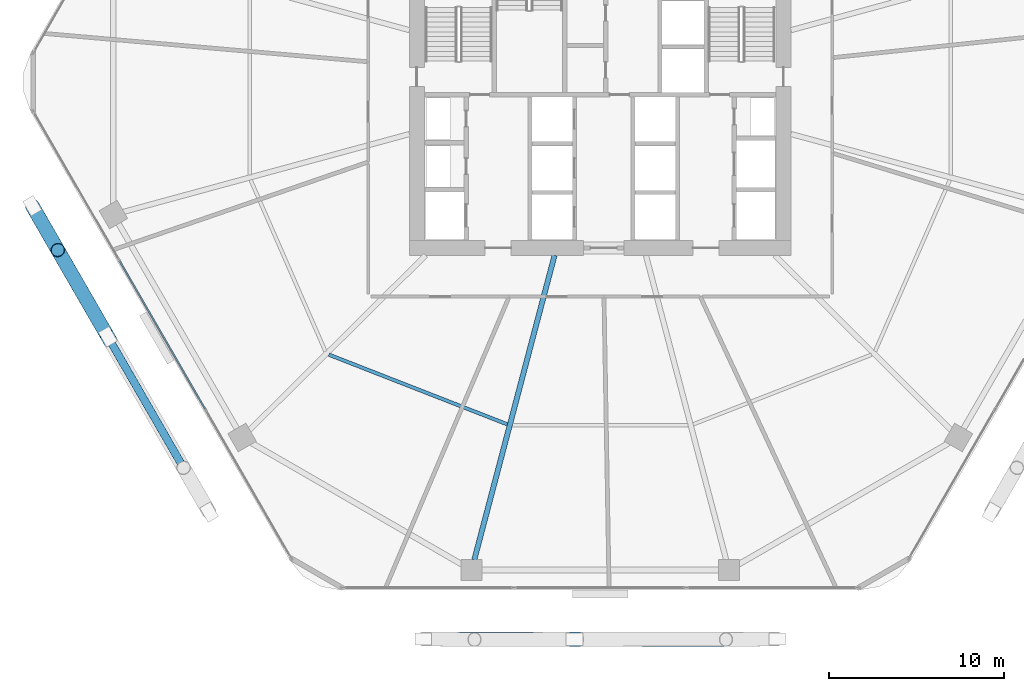
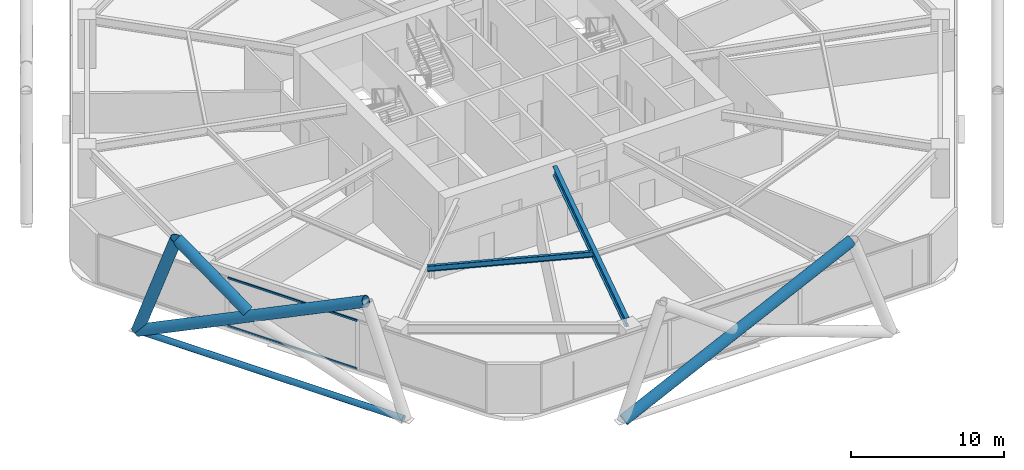
# One storey, part 4 of 30: 7 members, 2 beams, 1 element without a shape of its own.
"""IFC4 building model written with IfcOpenShell, lengths in metres."""

from ifc_helpers import new_model, si_unit, direction, frame, origin, origin_2d, place, context, subcontext, project, spatial, hollow_rectangle, hollow_circle, i_section, extrude, material, material_profile, profile_set, type_object, element, aggregate, save


model = new_model("IFC4")

# Units and contexts
model_context = context("Model", 3, precision=1e-05, world=origin(), true_north=direction((0.0, 1.0)))
body_context = subcontext(model_context, "Body", "Model", "MODEL_VIEW")
ifc_project = project(units=[si_unit("LENGTHUNIT", "METRE"), si_unit("AREAUNIT", "SQUARE_METRE"), si_unit("VOLUMEUNIT", "CUBIC_METRE"), si_unit("PLANEANGLEUNIT", "RADIAN"), si_unit("MASSUNIT", "GRAM", prefix="KILO")], contexts=[model_context])

# Site, building, storey
site_placement = place(None, origin())
site = spatial("IfcSite", under=ifc_project, at=site_placement, CompositionType="ELEMENT")
building_placement = place(site_placement, origin())
building = spatial("IfcBuilding", under=site, at=building_placement, Name="Zuhravey Tower", CompositionType="ELEMENT")
storey_placement = place(building_placement, frame((0.0, 0.0, 58.199951171875)))
storey = spatial("IfcBuildingStorey", under=building, at=storey_placement, Name="L14", CompositionType="ELEMENT", Elevation=58.199951171875)

# Curtain wall, members
ifc_material_1 = material(Name="Thermally broken anodised aluminium", Category="aluminium")
curtain_wall_type = type_object("IfcCurtainWallType", Name="School Low-E Unitised Curtain Wall CW1", PredefinedType="NOTDEFINED", material=ifc_material_1)
curtain_wall_placement = place(storey_placement, origin())
curtain_wall = element("IfcCurtainWall", 1, at=curtain_wall_placement, inside=storey, type_object=curtain_wall_type, Name="L14 CW1 CW-L14-F4-1", PredefinedType="NOTDEFINED")
ifc_material_2 = material(Name="Anodised aluminium", Category="aluminium")
ifc_material_profile_1 = material_profile(ifc_material_2, hollow_rectangle(XDim=0.090087890625, YDim=0.14990234375, WallThickness=0.0048828125, at=origin_2d()), Name="ALU-RHS-90x150x5")
ifc_profile_set_1 = profile_set([ifc_material_profile_1], Name="Anodised aluminium")
member_type_1 = type_object("IfcMemberType", Name="Curtain-Wall Transom 90x150", PredefinedType="USERDEFINED", material=ifc_profile_set_1)
member_1_placement = place(storey_placement, frame((13.365234375, 13.287353515625, 0.045166015625), z_axis=(-0.499990498062, 0.866030889661, 0.0), x_axis=(-0.866030889661, -0.499990498062, 0.0)))
member_1 = element("IfcMember", 2, at=member_1_placement, type_object=member_type_1, Name="CW1 transom 2.1", ObjectType="TRANSOM", PredefinedType="USERDEFINED", context=body_context, shape_type="SweptSolid", body=[
    extrude(hollow_rectangle(XDim=0.090087890625, YDim=0.14990234375, WallThickness=0.0048828125, at=origin_2d()), origin(), (0.0, 0.0, 1.0), 9.776611328125),
])
member_2_placement = place(storey_placement, frame((13.365234375, 13.287353515625, 3.875), z_axis=(-0.499990498062, 0.866030889661, 0.0), x_axis=(-0.866030889661, -0.499990498062, 0.0)))
member_2 = element("IfcMember", 3, at=member_2_placement, type_object=member_type_1, Name="CW1 transom 2.2", ObjectType="TRANSOM", PredefinedType="USERDEFINED", context=body_context, shape_type="SweptSolid", body=[
    extrude(hollow_rectangle(XDim=0.090087890625, YDim=0.14990234375, WallThickness=0.0048828125, at=origin_2d()), origin(), (0.0, 0.0, 1.0), 9.776611328125),
])
aggregate(curtain_wall, [member_1, member_2])

# Members
ifc_material_3 = material(Name="Steel SM355", Category="steel")
ifc_material_profile_2 = material_profile(ifc_material_3, hollow_circle(Radius=0.228515625, WallThickness=0.02197265625, at=origin_2d()), Name="CHS-457.2x22")
ifc_profile_set_2 = profile_set([ifc_material_profile_2], Name="Steel SM355")
member_type_2 = type_object("IfcMemberType", Name="Exoskeleton Ring Tie CHS457x22", PredefinedType="CHORD", material=ifc_profile_set_2)
member_3_placement = place(storey_placement, frame((3.53271484375, 24.79833984375, -0.493896484375), z_axis=(0.499987058157, -0.866032875632, 0.0), x_axis=(0.866032875632, 0.499987058157, 0.0)))
element("IfcMember", 4, at=member_3_placement, inside=storey, type_object=member_type_2, Name="L14 Exoskeleton Face 4 Tie EXR1", PredefinedType="CHORD", context=body_context, shape_type="SweptSolid", body=[
    extrude(hollow_circle(Radius=0.228515625, WallThickness=0.02197265625, at=origin_2d()), origin(), (0.0, 0.0, 1.0), 19.99365234375),
])
ifc_material_4 = material(Name="Steel SM460", Category="steel")
ifc_material_profile_3 = material_profile(ifc_material_4, hollow_circle(Radius=0.406494140625, WallThickness=0.035888671875, at=origin_2d()), Name="CHS-812.8x36")
ifc_profile_set_3 = profile_set([ifc_material_profile_3], Name="Steel SM460")
member_type_3 = type_object("IfcMemberType", Name="Exoskeleton Zone 1 Diagrid CHS813x36", PredefinedType="BRACE", material=ifc_profile_set_3)
member_4_placement = place(storey_placement, frame((3.466552734375, 24.912841796875, -0.471923828125), z_axis=(0.165307317227, -0.286358046605, 0.943754501984), x_axis=(0.866053660865, 0.499951054106, 0.0)))
element("IfcMember", 5, at=member_4_placement, inside=storey, type_object=member_type_3, Name="L14 Face 4 Diagrid Brace 1", PredefinedType="BRACE", context=body_context, shape_type="SweptSolid", body=[
    extrude(hollow_circle(Radius=0.406494140625, WallThickness=0.035888671875, at=origin_2d()), origin(), (0.0, 0.0, 1.0), 8.85400390625),
])
member_5_placement = place(storey_placement, frame((3.4853515625, 24.880126953125, -0.471923828125), z_axis=(0.449932637588, -0.779312332372, 0.436156978902), x_axis=(0.866027110715, 0.499997043497, 0.0)))
element("IfcMember", 6, at=member_5_placement, inside=storey, type_object=member_type_3, Name="L14 Face 4 Diagrid Brace 2", PredefinedType="BRACE", context=body_context, shape_type="SweptSolid", body=[
    extrude(hollow_circle(Radius=0.406494140625, WallThickness=0.035888671875, at=origin_2d()), origin(), (0.0, 0.0, 1.0), 19.158203125),
])
member_6_placement = place(storey_placement, frame((7.635498046875, 17.69189453125, 3.940673828125), z_axis=(-0.403092056741, 0.69816190232, 0.59168129254), x_axis=(-0.866021056018, -0.500007530476, 0.0)))
element("IfcMember", 7, at=member_6_placement, inside=storey, type_object=member_type_3, Name="L14 Face 4 Split Diagrid Brace 3B", PredefinedType="BRACE", context=body_context, shape_type="SweptSolid", body=[
    extrude(hollow_circle(Radius=0.406494140625, WallThickness=0.035888671875, at=origin_2d()), origin(), (0.0, 0.0, 1.0), 6.6513671875),
])
member_7_placement = place(storey_placement, frame((25.90869140625, 0.101318359375, -0.471923828125), z_axis=(0.899868496349, -0.00155470525, 0.436158540177), x_axis=(0.001727700143, 0.999998507525, 0.0)))
element("IfcMember", 8, at=member_7_placement, inside=storey, type_object=member_type_3, Name="L14 Face 5 Diagrid Brace 2", PredefinedType="BRACE", context=body_context, shape_type="SweptSolid", body=[
    extrude(hollow_circle(Radius=0.406494140625, WallThickness=0.035888671875, at=origin_2d()), origin(), (0.0, 0.0, 1.0), 19.157958984375),
])

# Beams
ifc_material_profile_4 = material_profile(ifc_material_3, i_section(OverallWidth=0.300048828125, OverallDepth=0.699951171875, WebThickness=0.012939453125, FlangeThickness=0.02392578125, at=origin_2d()), Name="H-700x300x13x24")
ifc_profile_set_4 = profile_set([ifc_material_profile_4], Name="Steel SM355")
beam_type_1 = type_object("IfcBeamType", Name="Radial Primary Girder H700x300", PredefinedType="BEAM", material=ifc_profile_set_4)
beam_1_placement = place(storey_placement, frame((33.382080078125, 22.072021484375, 3.570068359375), z_axis=(-0.254989720435, -0.966943763862, 0.0), x_axis=(0.966943763862, -0.254989720435, 0.0)))
element("IfcBeam", 9, at=beam_1_placement, inside=storey, type_object=beam_type_1, Name="L14 RG1 BM-L14-RAD-09", PredefinedType="BEAM", context=body_context, shape_type="SweptSolid", body=[
    extrude(i_section(OverallWidth=0.300048828125, OverallDepth=0.699951171875, WebThickness=0.012939453125, FlangeThickness=0.02392578125, at=origin_2d()), origin(), (0.0, 0.0, 1.0), 18.03369140625),
])
ifc_material_profile_5 = material_profile(ifc_material_3, i_section(OverallWidth=0.199951171875, OverallDepth=0.449951171875, WebThickness=0.009033203125, FlangeThickness=0.013916015625, at=origin_2d()), Name="H-450x200x9x14")
ifc_profile_set_5 = profile_set([ifc_material_profile_5], Name="Steel SM355")
beam_type_2 = type_object("IfcBeamType", Name="Secondary Floor Joist H450x200", PredefinedType="JOIST", material=ifc_profile_set_5)
beam_2_placement = place(storey_placement, frame((20.4599609375, 16.38427734375, 3.695068359375), z_axis=(0.931516535886, -0.363698973562, 0.0), x_axis=(0.363698973562, 0.931516535886, 0.0)))
element("IfcBeam", 10, at=beam_2_placement, inside=storey, type_object=beam_type_2, Name="L14 SJ1 BM-L14-SJ-08-1", PredefinedType="JOIST", context=body_context, shape_type="SweptSolid", body=[
    extrude(i_section(OverallWidth=0.199951171875, OverallDepth=0.449951171875, WebThickness=0.009033203125, FlangeThickness=0.013916015625, at=origin_2d()), origin(), (0.0, 0.0, 1.0), 10.963134765625),
])

save(model, "model.ifc")
